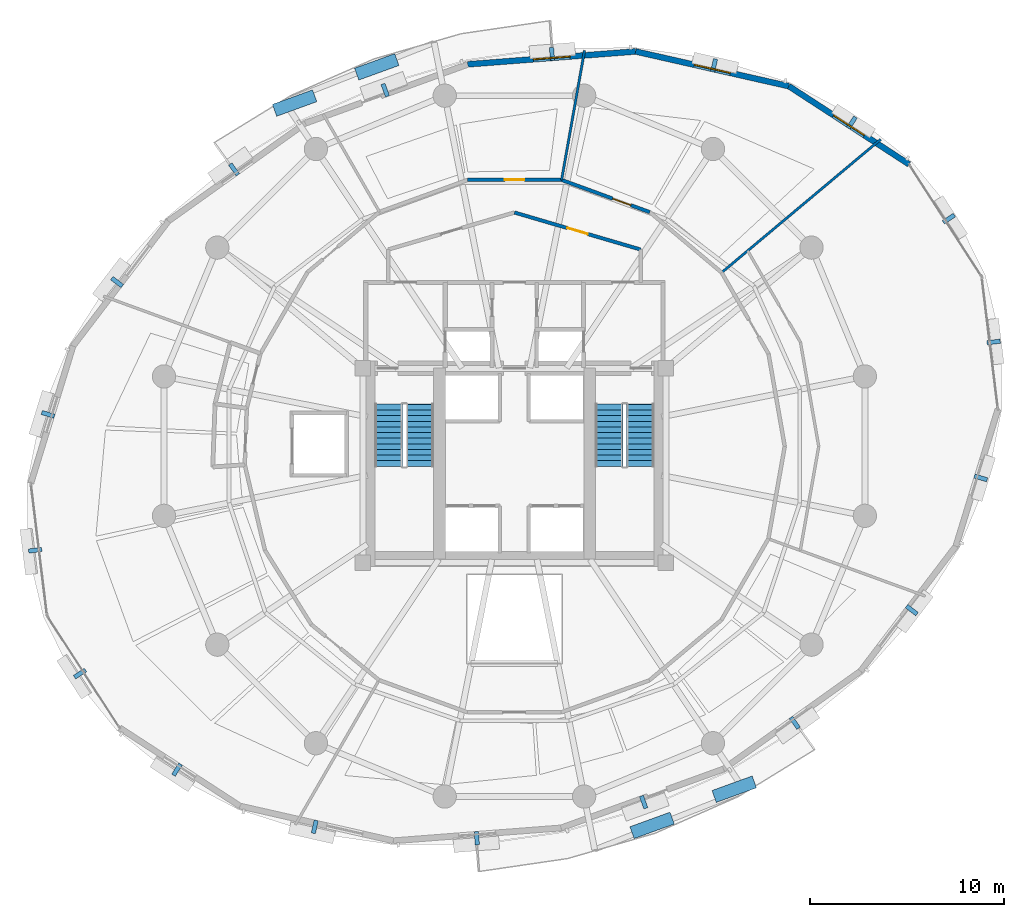
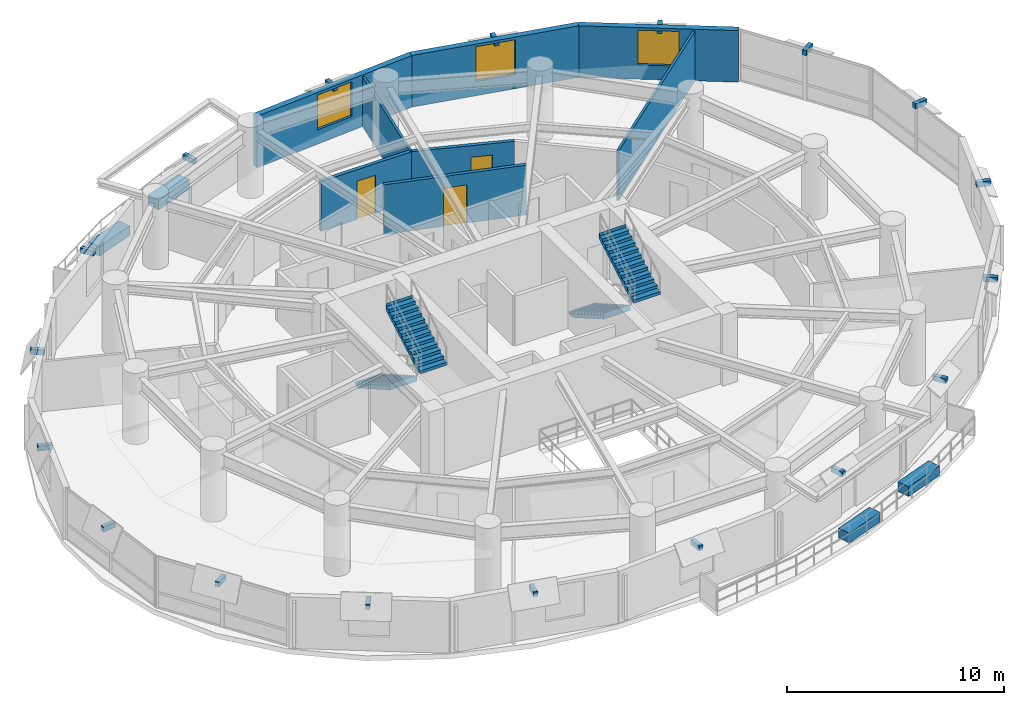
# One storey, part 12 of 15: 22 discrete accessories, 8 walls, 4 stair flights, 3 doors, 3 windows, 6 openings, 2 elements without a shape of their own.
"""IFC4 building model written with IfcOpenShell, lengths in metres."""

import ifcopenshell
import ifcopenshell.guid

model = None  # the IFC model being written
_history = None  # IfcOwnerHistory: only IFC2X3 demands one
_inside = {}  # id of a spatial element -> (the spatial element, [elements in it])
_under = {}  # id of a project, library or spatial element -> (it, [spatial elements below it])
_declared = {}  # id of a project -> (the project, [libraries it declares])
_typed = {}  # id of a type object -> (the type object, [elements of that type])
_made_of = {}  # id of a material, layer set ... -> (it, [elements and type objects made of it])


def new_model(schema):
    """Start an empty IFC model of exactly this schema.

    Asked for "IFC4X3", IfcOpenShell would pick the latest addendum, in which some entities
    have other attributes; the version numbers below select the first issue.
    IFC2X3 requires an IfcOwnerHistory on every rooted entity: one is made here for all.
    """
    global model, _history
    if schema == "IFC4X3":
        model = ifcopenshell.file(schema_version=(4, 3, 0, 0))
    else:
        model = ifcopenshell.file(schema=schema)
    _inside.clear()
    _under.clear()
    _declared.clear()
    _typed.clear()
    _made_of.clear()
    _history = None
    if model.schema == "IFC2X3":
        org = make("IfcOrganization", Name="unknown")
        user = make(
            "IfcPersonAndOrganization",
            ThePerson=make("IfcPerson", FamilyName="unknown"),
            TheOrganization=org,
        )
        app = make(
            "IfcApplication",
            ApplicationDeveloper=org,
            Version="unknown",
            ApplicationFullName="unknown",
            ApplicationIdentifier="unknown",
        )
        _history = make(
            "IfcOwnerHistory",
            OwningUser=user,
            OwningApplication=app,
            ChangeAction="ADDED",
            CreationDate=0,
        )
    return model


def make(cls, **values):
    """One entity of the class cls with the attributes given. An attribute that is None is left unset."""
    return model.create_entity(
        cls, **{name: value for name, value in values.items() if value is not None}
    )


def rooted(cls, **values):
    """An entity with a GlobalId (a new one), such as an element, a storey or a relation."""
    return make(cls, GlobalId=ifcopenshell.guid.new(), OwnerHistory=_history, **values)


def si_unit(unit_type, name, prefix=None):
    """IfcSIUnit, for example si_unit("LENGTHUNIT", "METRE", prefix="MILLI")."""
    return make("IfcSIUnit", UnitType=unit_type, Prefix=prefix, Name=name)


def assignment(units):
    """IfcUnitAssignment: the units of a project."""
    return None if units is None else make("IfcUnitAssignment", Units=units)


def point(xyz):
    """IfcCartesianPoint."""
    return None if xyz is None else make("IfcCartesianPoint", Coordinates=xyz)


def direction(xyz):
    """IfcDirection."""
    return None if xyz is None else make("IfcDirection", DirectionRatios=xyz)


def frame(location, z_axis=None, x_axis=None):
    """IfcAxis2Placement3D, a coordinate frame: its origin and axes. An axis left out is left unset."""
    return make(
        "IfcAxis2Placement3D",
        Location=point(location),
        Axis=direction(z_axis),
        RefDirection=direction(x_axis),
    )


def frame_2d(location, x_axis=None):
    """IfcAxis2Placement2D, a coordinate frame in the plane: its origin and x axis."""
    return make(
        "IfcAxis2Placement2D", Location=point(location), RefDirection=direction(x_axis)
    )


def origin():
    """The frame at (0, 0, 0) with its axes left unset."""
    return frame((0.0, 0.0, 0.0))


def origin_2d():
    """The frame at (0, 0) in the plane with its x axis left unset."""
    return frame_2d((0.0, 0.0))


def place(relative_to, where):
    """IfcLocalPlacement: puts the frame where relative to a parent placement (None: the world)."""
    return make(
        "IfcLocalPlacement", PlacementRelTo=relative_to, RelativePlacement=where
    )


def context(
    kind, dimensions, precision=None, world=None, true_north=None, identifier=None
):
    """IfcGeometricRepresentationContext, for example the 3D "Model" context."""
    return make(
        "IfcGeometricRepresentationContext",
        ContextIdentifier=identifier,
        ContextType=kind,
        CoordinateSpaceDimension=dimensions,
        Precision=precision,
        WorldCoordinateSystem=world,
        TrueNorth=true_north,
    )


def subcontext(parent, identifier, kind, view, scale=None):
    """IfcGeometricRepresentationSubContext, for example "Body" below "Model"."""
    return make(
        "IfcGeometricRepresentationSubContext",
        ContextIdentifier=identifier,
        ContextType=kind,
        ParentContext=parent,
        TargetScale=scale,
        TargetView=view,
    )


def project(units=None, contexts=None):
    """IfcProject with its units and contexts."""
    return rooted(
        "IfcProject",
        Name="project",
        RepresentationContexts=contexts,
        UnitsInContext=assignment(units),
    )


def spatial(cls, under=None, at=None, **own):
    """A site, building, storey or space (cls), placed at a placement, below another one or the project."""
    s = rooted(cls, ObjectPlacement=at, **own)
    if under is not None:
        _under.setdefault(under.id(), (under, []))[1].append(s)
    return s


def polyline(points):
    """IfcPolyline through the points."""
    return make("IfcPolyline", Points=[point(p) for p in points])


def profile(cls, at=None, kind="AREA", **sizes):
    """A parametric profile (cls). Its sizes go by their IFC names, for example OverallWidth=200.0."""
    return make(cls, ProfileType=kind, Position=at, **sizes)


def rectangle(**sizes):
    """IfcRectangleProfileDef."""
    return profile("IfcRectangleProfileDef", **sizes)


def outline(outer, holes=None, kind="AREA"):
    """IfcArbitraryClosedProfileDef: a profile drawn as a closed curve; with holes, ...WithVoids."""
    if holes is None:
        return make("IfcArbitraryClosedProfileDef", ProfileType=kind, OuterCurve=outer)
    return make(
        "IfcArbitraryProfileDefWithVoids",
        ProfileType=kind,
        OuterCurve=outer,
        InnerCurves=holes,
    )


def extrude(swept, where, along, depth):
    """IfcExtrudedAreaSolid: the profile swept, set in the frame where, extruded along a direction by depth."""
    return make(
        "IfcExtrudedAreaSolid",
        SweptArea=swept,
        Position=where,
        ExtrudedDirection=direction(along),
        Depth=depth,
    )


def shape(context_of_items, identifier, shape_type, items):
    """IfcShapeRepresentation: the items that make up one representation, for example the "Body"."""
    return make(
        "IfcShapeRepresentation",
        ContextOfItems=context_of_items,
        RepresentationIdentifier=identifier,
        RepresentationType=shape_type,
        Items=items,
    )


def material(Name=None, Category=None):
    """IfcMaterial."""
    return make("IfcMaterial", Name=Name, Category=Category)


def layer(
    of_material, thickness, ventilated=None, Name=None, Category=None, Priority=None
):
    """IfcMaterialLayer: one layer of a wall or slab, of a material (None: an air gap)."""
    return make(
        "IfcMaterialLayer",
        Material=of_material,
        LayerThickness=thickness,
        IsVentilated=ventilated,
        Name=Name,
        Category=Category,
        Priority=Priority,
    )


def layer_set(layers, Name=None):
    """IfcMaterialLayerSet."""
    return make("IfcMaterialLayerSet", MaterialLayers=layers, LayerSetName=Name)


def made_of(thing, what):
    """Note that an element or type object is made of a material, layer set ...; save() writes the relation."""
    if what is not None:
        _made_of.setdefault(what.id(), (what, []))[1].append(thing)
    return thing


def type_object(cls, material=None, **own):
    """A type object (cls), such as IfcWallType, which elements share."""
    return made_of(rooted(cls, **own), material)


def element(
    cls,
    number,
    at=None,
    inside=None,
    cuts=None,
    type_object=None,
    material=None,
    context=None,
    identifier="Body",
    shape_type=None,
    held_by="IfcProductDefinitionShape",
    body=None,
    shapes=None,
    **own,
):
    """One element of the class cls, such as IfcWall. Its Tag is "e" and its number.

    at: its placement. inside: the storey or other place that contains it. cuts: it is an
    opening in that element (IfcRelVoidsElement). A single representation is given by context,
    identifier, shape_type and body (its items); several are given by shapes. held_by: the class
    of the entity that holds the representations. save() writes the other relations.
    """
    e = rooted(cls, Tag="e%d" % number, ObjectPlacement=at, **own)
    if body is not None:
        shapes = [shape(context, identifier, shape_type, body)]
    if shapes is not None:
        e.Representation = make(held_by, Representations=shapes)
    if inside is not None:
        _inside.setdefault(inside.id(), (inside, []))[1].append(e)
    if cuts is not None:
        rooted(
            "IfcRelVoidsElement", RelatingBuildingElement=cuts, RelatedOpeningElement=e
        )
    if type_object is not None:
        _typed.setdefault(type_object.id(), (type_object, []))[1].append(e)
    return made_of(e, material)


def fill(opening, filler):
    """IfcRelFillsElement: the door or window that sits in an opening."""
    return rooted(
        "IfcRelFillsElement",
        RelatingOpeningElement=opening,
        RelatedBuildingElement=filler,
    )


def aggregate(whole, parts):
    """IfcRelAggregates: a whole, such as a stair, and the parts it consists of."""
    return rooted("IfcRelAggregates", RelatingObject=whole, RelatedObjects=parts)


def save(model, path):
    """Write the relations noted so far, then the file.

    IfcRelAggregates (storeys below a building ...), IfcRelContainedInSpatialStructure (elements
    in a storey), IfcRelDefinesByType, IfcRelAssociatesMaterial and IfcRelDeclares: one each for
    every whole, place, type object, material and project.
    """
    for whole, parts in _under.values():
        aggregate(whole, parts)
    for where, things in _inside.values():
        rooted(
            "IfcRelContainedInSpatialStructure",
            RelatedElements=things,
            RelatingStructure=where,
        )
    for kind, things in _typed.values():
        rooted("IfcRelDefinesByType", RelatedObjects=things, RelatingType=kind)
    for what, things in _made_of.values():
        rooted("IfcRelAssociatesMaterial", RelatedObjects=things, RelatingMaterial=what)
    for by, libraries in _declared.values():
        rooted("IfcRelDeclares", RelatingContext=by, RelatedDefinitions=libraries)
    model.write(path)


model = new_model("IFC4")

# Units and contexts
model_context = context("Model", 3, precision=1e-05, world=origin(), true_north=direction((0.0, 1.0)))
body_context = subcontext(model_context, "Body", "Model", "MODEL_VIEW")
ifc_project = project(units=[si_unit("LENGTHUNIT", "METRE"), si_unit("AREAUNIT", "SQUARE_METRE"), si_unit("VOLUMEUNIT", "CUBIC_METRE"), si_unit("PLANEANGLEUNIT", "RADIAN"), si_unit("MASSUNIT", "GRAM", prefix="KILO"), si_unit("THERMODYNAMICTEMPERATUREUNIT", "KELVIN"), si_unit("POWERUNIT", "WATT")], contexts=[model_context])

# Site, building, storey
site_placement = place(None, origin())
site = spatial("IfcSite", under=ifc_project, at=site_placement, CompositionType="ELEMENT")
building_placement = place(site_placement, origin())
building = spatial("IfcBuilding", under=site, at=building_placement, Name="Ocrelia Relay Tower", CompositionType="ELEMENT")
storey_placement = place(building_placement, frame((0.0, 0.0, 117.800048828125)))
storey = spatial("IfcBuildingStorey", under=building, at=storey_placement, Name="L27", CompositionType="ELEMENT", Elevation=117.800048828125)

# Wall, opening, door
ifc_material_1 = material(Name="Gypsum Fireboard Partition EI60", Category="gypsum")
ifc_layer_1 = layer(ifc_material_1, 0.179931640625, Name="Gypsum Fireboard Partition EI60")
ifc_layer_set_1 = layer_set([ifc_layer_1], Name="Gypsum Fireboard Partition EI60")
wall_type_1 = type_object("IfcWallType", Name="W-CORR-EI60-180", PredefinedType="PARTITIONING", material=ifc_layer_set_1)
wall_1_placement = place(storey_placement, frame((34.0, 38.030029296875, 0.0), z_axis=(0.0, 0.0, 1.0), x_axis=(0.959546654541, -0.281549671923, 0.0)))
wall_1 = element("IfcWall", 1, at=wall_1_placement, inside=storey, type_object=wall_type_1, Name="L27 North Smoke Lobby E Screen Wall", PredefinedType="PARTITIONING", context=body_context, shape_type="SweptSolid", body=[
    extrude(rectangle(XDim=6.77392578125, YDim=0.179931640625, at=frame_2d((3.386962890625, 0.0))), origin(), (0.0, 0.0, 1.0), 2.800048828125),
])
opening_1_placement = place(wall_1_placement, frame((2.8369140625, 0.0, 0.0)))
opening_1 = element("IfcOpeningElement", 2, at=opening_1_placement, cuts=wall_1, Name="Opening D-FD60", PredefinedType="OPENING", context=body_context, shape_type="SweptSolid", body=[
    extrude(rectangle(XDim=1.10009765625, YDim=2.14990234375, at=frame_2d((0.550048828125, 1.074951171875))), frame((0.0, 0.10009765625, 0.0), z_axis=(0.0, -1.0, 0.0), x_axis=(1.0, 0.0, 0.0)), (0.0, 0.0, 1.0), 0.199951171875),
])
ifc_material_2 = material(Name="Timber-core 60-min acoustic fire door", Category="wood")
door_type_1 = type_object("IfcDoorType", Name="DR-LOBBY-FD60-1100", OperationType="NOTDEFINED", PredefinedType="DOOR", material=ifc_material_2)
door_1_placement = place(opening_1_placement, origin())
door_1 = element("IfcDoor", 3, at=door_1_placement, inside=storey, type_object=door_type_1, Name="L27 North Smoke Lobby E Fire Door", OperationType="SINGLE_SWING_RIGHT", OverallHeight=2.14990234375, OverallWidth=1.10009765625, PredefinedType="DOOR", context=body_context, shape_type="SweptSolid", body=[
    extrude(rectangle(XDim=1.10009765625, YDim=2.14990234375, at=frame_2d((0.550048828125, 1.074951171875))), frame((0.0, 0.02490234375, 0.0), z_axis=(0.0, -1.0, 0.0), x_axis=(1.0, 0.0, 0.0)), (0.0, 0.0, 1.0), 0.050048828125),
])
fill(opening_1, door_1)

wall_2_placement = place(storey_placement, frame((40.970458984375, 38.049072265625, 0.0), z_axis=(0.0, 0.0, 1.0), x_axis=(-0.939403536329, 0.342813354368, 0.0)))
wall_2 = element("IfcWall", 4, at=wall_2_placement, inside=storey, type_object=wall_type_1, Name="L27 Technical Briefing Room Corridor Partition 2", PredefinedType="PARTITIONING", context=body_context, shape_type="SweptSolid", body=[
    extrude(rectangle(XDim=4.834228515625, YDim=0.179931640625, at=frame_2d((2.4169921875, 0.0))), origin(), (0.0, 0.0, 1.0), 2.800048828125),
])
opening_2_placement = place(wall_2_placement, frame((1.03369140625, 0.0, 0.0)))
opening_2 = element("IfcOpeningElement", 5, at=opening_2_placement, cuts=wall_2, Name="Opening D-RM100", PredefinedType="OPENING", context=body_context, shape_type="SweptSolid", body=[
    extrude(rectangle(XDim=1.0, YDim=2.14990234375, at=frame_2d((0.5, 1.074951171875))), frame((0.0, 0.10009765625, 0.0), z_axis=(0.0, -1.0, 0.0), x_axis=(1.0, 0.0, 0.0)), (0.0, 0.0, 1.0), 0.199951171875),
])
ifc_material_3 = material(Name="Acoustic oak veneer fire door", Category="wood")
door_type_2 = type_object("IfcDoorType", Name="DR-ROOM-FD60-1000", OperationType="NOTDEFINED", PredefinedType="DOOR", material=ifc_material_3)
door_2_placement = place(opening_2_placement, origin())
door_2 = element("IfcDoor", 6, at=door_2_placement, inside=storey, type_object=door_type_2, Name="L27 Technical Briefing Room Entrance Door", OperationType="SINGLE_SWING_LEFT", OverallHeight=2.14990234375, OverallWidth=1.0, PredefinedType="DOOR", context=body_context, shape_type="SweptSolid", body=[
    extrude(rectangle(XDim=1.0, YDim=2.14990234375, at=frame_2d((0.5, 1.074951171875))), frame((0.0, 0.02490234375, 0.0), z_axis=(0.0, -1.0, 0.0), x_axis=(1.0, 0.0, 0.0)), (0.0, 0.0, 1.0), 0.050048828125),
])
fill(opening_2, door_2)

wall_3_placement = place(storey_placement, frame((36.42919921875, 39.706298828125, 0.0), z_axis=(0.0, 0.0, 1.0), x_axis=(-0.999999586861, 0.000908998715, 0.0)))
wall_3 = element("IfcWall", 7, at=wall_3_placement, inside=storey, type_object=wall_type_1, Name="L27 Photonics Testing Studio Corridor Partition 1", PredefinedType="PARTITIONING", context=body_context, shape_type="SweptSolid", body=[
    extrude(rectangle(XDim=4.83447265625, YDim=0.179931640625, at=frame_2d((2.417236328125, 0.0))), origin(), (0.0, 0.0, 1.0), 2.800048828125),
])
opening_3_placement = place(wall_3_placement, frame((1.917236328125, 0.0, 0.0)))
opening_3 = element("IfcOpeningElement", 8, at=opening_3_placement, cuts=wall_3, Name="Opening D-RM100", PredefinedType="OPENING", context=body_context, shape_type="SweptSolid", body=[
    extrude(rectangle(XDim=1.0, YDim=2.14990234375, at=frame_2d((0.5, 1.074951171875))), frame((0.0, 0.10009765625, 0.0), z_axis=(0.0, -1.0, 0.0), x_axis=(1.0, 0.0, 0.0)), (0.0, 0.0, 1.0), 0.199951171875),
])
door_3_placement = place(opening_3_placement, origin())
door_3 = element("IfcDoor", 9, at=door_3_placement, inside=storey, type_object=door_type_2, Name="L27 Photonics Testing Studio Entrance Door", OperationType="SINGLE_SWING_RIGHT", OverallHeight=2.14990234375, OverallWidth=1.0, PredefinedType="DOOR", context=body_context, shape_type="SweptSolid", body=[
    extrude(rectangle(XDim=1.0, YDim=2.14990234375, at=frame_2d((0.5, 1.074951171875))), frame((0.0, 0.02490234375, 0.0), z_axis=(0.0, -1.0, 0.0), x_axis=(1.0, 0.0, 0.0)), (0.0, 0.0, 1.0), 0.050048828125),
])
fill(opening_3, door_3)

# Wall, opening, window
ifc_material_4 = material(Name="Precast concrete C40/50 with oxide terracotta", Category="masonry")
ifc_layer_2 = layer(ifc_material_4, 0.300048828125, Name="Precast concrete C40/50 with oxide terracotta")
ifc_layer_set_2 = layer_set([ifc_layer_2], Name="Precast concrete C40/50 with oxide terracotta")
wall_type_2 = type_object("IfcWallType", Name="W-EXT-TERR-300", PredefinedType="SOLIDWALL", material=ifc_layer_set_2)
wall_4_placement = place(storey_placement, frame((54.3251953125, 40.50927734375, 0.0), z_axis=(0.0, 0.0, 1.0), x_axis=(-0.838384683286, 0.545079006046, 0.0)))
wall_4 = element("IfcWall", 10, at=wall_4_placement, inside=storey, type_object=wall_type_2, Name="L27 Oxide Terracotta Facade Wall 02", PredefinedType="SOLIDWALL", context=body_context, shape_type="SweptSolid", body=[
    extrude(rectangle(XDim=7.383056640625, YDim=0.300048828125, at=frame_2d((3.69140625, 0.0))), origin(), (0.0, 0.0, 1.0), 2.89990234375),
])
opening_4_placement = place(wall_4_placement, frame((2.741943359375, 0.0, 0.800048828125)))
opening_4 = element("IfcOpeningElement", 11, at=opening_4_placement, cuts=wall_4, Name="Opening W-06", PredefinedType="OPENING", context=body_context, shape_type="SweptSolid", body=[
    extrude(rectangle(XDim=1.89990234375, YDim=1.949951171875, at=frame_2d((0.949951171875, 0.97509765625))), frame((0.0, 0.16015625, 0.0), z_axis=(0.0, -1.0, 0.0), x_axis=(1.0, 0.0, 0.0)), (0.0, 0.0, 1.0), 0.320068359375),
])
ifc_material_5 = material(Name="Clear double-glazed low-E glass", Category="glass")
window_type = type_object("IfcWindowType", Name="WIN-Z2-1900x2100", PartitioningType="DOUBLE_PANEL_VERTICAL", PredefinedType="WINDOW", material=ifc_material_5)
window_1_placement = place(opening_4_placement, origin())
window_1 = element("IfcWindow", 12, at=window_1_placement, inside=storey, type_object=window_type, Name="L27 Facade Module Window 02", OverallHeight=1.949951171875, OverallWidth=1.89990234375, PartitioningType="SINGLE_PANEL", PredefinedType="WINDOW", context=body_context, shape_type="SweptSolid", body=[
    extrude(rectangle(XDim=1.89990234375, YDim=1.949951171875, at=frame_2d((0.949951171875, 0.97509765625))), frame((0.0, 0.030029296875, 0.0), z_axis=(0.0, -1.0, 0.0), x_axis=(1.0, 0.0, 0.0)), (0.0, 0.0, 1.0), 0.06005859375),
])
fill(opening_4, window_1)

wall_5_placement = place(storey_placement, frame((48.13525390625, 44.53369140625, 0.0), z_axis=(0.0, 0.0, 1.0), x_axis=(-0.975266584043, 0.22103187564, 0.0)))
wall_5 = element("IfcWall", 13, at=wall_5_placement, inside=storey, type_object=wall_type_2, Name="L27 Oxide Terracotta Facade Wall 03", PredefinedType="SOLIDWALL", context=body_context, shape_type="SweptSolid", body=[
    extrude(rectangle(XDim=8.09521484375, YDim=0.300048828125, at=frame_2d((4.047607421875, 0.0))), origin(), (0.0, 0.0, 1.0), 2.89990234375),
])
opening_5_placement = place(wall_5_placement, frame((3.097900390625, 0.0, 0.800048828125)))
opening_5 = element("IfcOpeningElement", 14, at=opening_5_placement, cuts=wall_5, Name="Opening W-06", PredefinedType="OPENING", context=body_context, shape_type="SweptSolid", body=[
    extrude(rectangle(XDim=1.89990234375, YDim=1.949951171875, at=frame_2d((0.949951171875, 0.97509765625))), frame((0.0, 0.16015625, 0.0), z_axis=(0.0, -1.0, 0.0), x_axis=(1.0, 0.0, 0.0)), (0.0, 0.0, 1.0), 0.320068359375),
])
window_2_placement = place(opening_5_placement, origin())
window_2 = element("IfcWindow", 15, at=window_2_placement, inside=storey, type_object=window_type, Name="L27 Facade Module Window 03", OverallHeight=1.949951171875, OverallWidth=1.89990234375, PartitioningType="SINGLE_PANEL", PredefinedType="WINDOW", context=body_context, shape_type="SweptSolid", body=[
    extrude(rectangle(XDim=1.89990234375, YDim=1.949951171875, at=frame_2d((0.949951171875, 0.97509765625))), frame((0.0, 0.030029296875, 0.0), z_axis=(0.0, -1.0, 0.0), x_axis=(1.0, 0.0, 0.0)), (0.0, 0.0, 1.0), 0.06005859375),
])
fill(opening_5, window_2)

wall_6_placement = place(storey_placement, frame((40.240234375, 46.322998046875, 0.0), z_axis=(0.0, 0.0, 1.0), x_axis=(-0.997079436501, -0.076371443005, 0.0)))
wall_6 = element("IfcWall", 16, at=wall_6_placement, inside=storey, type_object=wall_type_2, Name="L27 Oxide Terracotta Facade Wall 04", PredefinedType="SOLIDWALL", context=body_context, shape_type="SweptSolid", body=[
    extrude(rectangle(XDim=8.6728515625, YDim=0.300048828125, at=frame_2d((4.33642578125, 0.0))), origin(), (0.0, 0.0, 1.0), 2.89990234375),
])
opening_6_placement = place(wall_6_placement, frame((3.385986328125, 0.0, 0.800048828125)))
opening_6 = element("IfcOpeningElement", 17, at=opening_6_placement, cuts=wall_6, Name="Opening W-06", PredefinedType="OPENING", context=body_context, shape_type="SweptSolid", body=[
    extrude(rectangle(XDim=1.89990234375, YDim=1.949951171875, at=frame_2d((0.949951171875, 0.97509765625))), frame((0.0, 0.16015625, 0.0), z_axis=(0.0, -1.0, 0.0), x_axis=(1.0, 0.0, 0.0)), (0.0, 0.0, 1.0), 0.320068359375),
])
window_3_placement = place(opening_6_placement, origin())
window_3 = element("IfcWindow", 18, at=window_3_placement, inside=storey, type_object=window_type, Name="L27 Facade Module Window 04", OverallHeight=1.949951171875, OverallWidth=1.89990234375, PartitioningType="SINGLE_PANEL", PredefinedType="WINDOW", context=body_context, shape_type="SweptSolid", body=[
    extrude(rectangle(XDim=1.89990234375, YDim=1.949951171875, at=frame_2d((0.949951171875, 0.97509765625))), frame((0.0, 0.030029296875, 0.0), z_axis=(0.0, -1.0, 0.0), x_axis=(1.0, 0.0, 0.0)), (0.0, 0.0, 1.0), 0.06005859375),
])
fill(opening_6, window_3)

# Walls
ifc_material_6 = material(Name="Acoustic Fireboard Partition EI60", Category="gypsum")
ifc_layer_3 = layer(ifc_material_6, 0.125, Name="Acoustic Fireboard Partition EI60")
ifc_layer_set_3 = layer_set([ifc_layer_3], Name="Acoustic Fireboard Partition EI60")
wall_type_3 = type_object("IfcWallType", Name="W-PART-125", PredefinedType="PARTITIONING", material=ifc_layer_set_3)
wall_7_placement = place(storey_placement, frame((44.671142578125, 34.938232421875, 0.0), z_axis=(0.0, 0.0, 1.0), x_axis=(0.766606207274, 0.642117530496, 0.0)))
element("IfcWall", 19, at=wall_7_placement, inside=storey, type_object=wall_type_3, Name="L27 Training Seminar Room Radial Partition", PredefinedType="PARTITIONING", context=body_context, shape_type="SweptSolid", body=[
    extrude(rectangle(XDim=10.684326171875, YDim=0.125, at=frame_2d((5.34228515625, 0.0))), origin(), (0.0, 0.0, 1.0), 2.800048828125),
])
wall_8_placement = place(storey_placement, frame((36.42919921875, 39.706298828125, 0.0), z_axis=(0.0, 0.0, 1.0), x_axis=(0.174498091195, 0.984657512117, 0.0)))
element("IfcWall", 20, at=wall_8_placement, inside=storey, type_object=wall_type_3, Name="L27 Technical Briefing Room Radial Partition", PredefinedType="PARTITIONING", context=body_context, shape_type="SweptSolid", body=[
    extrude(rectangle(XDim=6.780029296875, YDim=0.125, at=frame_2d((3.39013671875, 0.0))), origin(), (0.0, 0.0, 1.0), 2.800048828125),
])

# Stair, stair flights
ifc_material_7 = material(Name="Concrete C50/60", Category="concrete")
stair_type = type_object("IfcStairType", Name="ST-DL-1420-R167", PredefinedType="HALF_TURN_STAIR", material=ifc_material_7)
stair_1_placement = place(storey_placement, origin())
stair_1 = element("IfcStair", 21, at=stair_1_placement, inside=storey, type_object=stair_type, Name="L27 West Core Exit Stair ST1", PredefinedType="HALF_TURN_STAIR")
stair_flight_type = type_object("IfcStairFlightType", Name="STF-DL-1420-R167", PredefinedType="STRAIGHT", material=ifc_material_7)
stair_flight_1_placement = place(storey_placement, frame((27.52001953125, 28.14990234375, 0.0), z_axis=(0.0, 0.0, 1.0), x_axis=(0.0, -1.0, 0.0)))
stair_flight_1 = element("IfcStairFlight", 22, at=stair_flight_1_placement, type_object=stair_flight_type, Name="ST1 flight 1", NumberOfRisers=12, NumberOfTreads=11, PredefinedType="STRAIGHT", RiserHeight=0.166666667, TreadLength=0.29, context=body_context, shape_type="SweptSolid", body=[
    extrude(outline(polyline([(-0.008056640625, 0.0), (-0.008056640625, 0.166748046875), (0.0, 0.166748046875), (0.2900390625, 0.166748046875), (0.2900390625, 0.333251953125), (0.580078125, 0.333251953125), (0.580078125, 0.5), (0.8701171875, 0.5), (0.8701171875, 0.666748046875), (1.159912109375, 0.666748046875), (1.159912109375, 0.833251953125), (1.449951171875, 0.833251953125), (1.449951171875, 1.0), (1.739990234375, 1.0), (1.739990234375, 1.166748046875), (2.030029296875, 1.166748046875), (2.030029296875, 1.333251953125), (2.320068359375, 1.333251953125), (2.320068359375, 1.5), (2.610107421875, 1.5), (2.610107421875, 1.666748046875), (2.89990234375, 1.666748046875), (2.89990234375, 1.833251953125), (3.18994140625, 1.833251953125), (3.18994140625, 2.0), (3.197998046875, 2.0), (3.197998046875, 1.660400390625), (0.30078125, 0.0), (-0.008056640625, 0.0)])), frame((0.0, 0.7099609375, 0.0), z_axis=(0.0, -1.0, 0.0), x_axis=(1.0, 0.0, 0.0)), (0.0, 0.0, 1.0), 1.419921875),
])
stair_flight_2_placement = place(storey_placement, frame((29.139892578125, 24.9599609375, 2.0), z_axis=(0.0, 0.0, 1.0), x_axis=(0.0, 1.0, 0.0)))
stair_flight_2 = element("IfcStairFlight", 23, at=stair_flight_2_placement, type_object=stair_flight_type, Name="ST1 flight 2", NumberOfRisers=12, NumberOfTreads=11, PredefinedType="STRAIGHT", RiserHeight=0.166666667, TreadLength=0.29, context=body_context, shape_type="SweptSolid", body=[
    extrude(outline(polyline([(-0.008056640625, 0.0), (-0.008056640625, 0.166748046875), (0.0, 0.166748046875), (0.2900390625, 0.166748046875), (0.2900390625, 0.333251953125), (0.580078125, 0.333251953125), (0.580078125, 0.5), (0.8701171875, 0.5), (0.8701171875, 0.666748046875), (1.159912109375, 0.666748046875), (1.159912109375, 0.833251953125), (1.449951171875, 0.833251953125), (1.449951171875, 1.0), (1.739990234375, 1.0), (1.739990234375, 1.166748046875), (2.030029296875, 1.166748046875), (2.030029296875, 1.333251953125), (2.320068359375, 1.333251953125), (2.320068359375, 1.5), (2.610107421875, 1.5), (2.610107421875, 1.666748046875), (2.89990234375, 1.666748046875), (2.89990234375, 1.833251953125), (3.18994140625, 1.833251953125), (3.18994140625, 2.0), (3.197998046875, 2.0), (3.197998046875, 1.660400390625), (0.30078125, 0.0), (-0.008056640625, 0.0)])), frame((0.0, 0.7099609375, 0.0), z_axis=(0.0, -1.0, 0.0), x_axis=(1.0, 0.0, 0.0)), (0.0, 0.0, 1.0), 1.419921875),
])
aggregate(stair_1, [stair_flight_1, stair_flight_2])

stair_2_placement = place(storey_placement, origin())
stair_2 = element("IfcStair", 24, at=stair_2_placement, inside=storey, type_object=stair_type, Name="L27 East Core Exit Stair ST2", PredefinedType="HALF_TURN_STAIR")
stair_flight_3_placement = place(storey_placement, frame((38.8701171875, 28.14990234375, 0.0), z_axis=(0.0, 0.0, 1.0), x_axis=(0.0, -1.0, 0.0)))
stair_flight_3 = element("IfcStairFlight", 25, at=stair_flight_3_placement, type_object=stair_flight_type, Name="ST2 flight 1", NumberOfRisers=12, NumberOfTreads=11, PredefinedType="STRAIGHT", RiserHeight=0.166666667, TreadLength=0.29, context=body_context, shape_type="SweptSolid", body=[
    extrude(outline(polyline([(-0.008056640625, 0.0), (-0.008056640625, 0.166748046875), (0.0, 0.166748046875), (0.2900390625, 0.166748046875), (0.2900390625, 0.333251953125), (0.580078125, 0.333251953125), (0.580078125, 0.5), (0.8701171875, 0.5), (0.8701171875, 0.666748046875), (1.159912109375, 0.666748046875), (1.159912109375, 0.833251953125), (1.449951171875, 0.833251953125), (1.449951171875, 1.0), (1.739990234375, 1.0), (1.739990234375, 1.166748046875), (2.030029296875, 1.166748046875), (2.030029296875, 1.333251953125), (2.320068359375, 1.333251953125), (2.320068359375, 1.5), (2.610107421875, 1.5), (2.610107421875, 1.666748046875), (2.89990234375, 1.666748046875), (2.89990234375, 1.833251953125), (3.18994140625, 1.833251953125), (3.18994140625, 2.0), (3.197998046875, 2.0), (3.197998046875, 1.660400390625), (0.30078125, 0.0), (-0.008056640625, 0.0)])), frame((0.0, 0.7099609375, 0.0), z_axis=(0.0, -1.0, 0.0), x_axis=(1.0, 0.0, 0.0)), (0.0, 0.0, 1.0), 1.419921875),
])
stair_flight_4_placement = place(storey_placement, frame((40.489990234375, 24.9599609375, 2.0), z_axis=(0.0, 0.0, 1.0), x_axis=(0.0, 1.0, 0.0)))
stair_flight_4 = element("IfcStairFlight", 26, at=stair_flight_4_placement, type_object=stair_flight_type, Name="ST2 flight 2", NumberOfRisers=12, NumberOfTreads=11, PredefinedType="STRAIGHT", RiserHeight=0.166666667, TreadLength=0.29, context=body_context, shape_type="SweptSolid", body=[
    extrude(outline(polyline([(-0.008056640625, 0.0), (-0.008056640625, 0.166748046875), (0.0, 0.166748046875), (0.2900390625, 0.166748046875), (0.2900390625, 0.333251953125), (0.580078125, 0.333251953125), (0.580078125, 0.5), (0.8701171875, 0.5), (0.8701171875, 0.666748046875), (1.159912109375, 0.666748046875), (1.159912109375, 0.833251953125), (1.449951171875, 0.833251953125), (1.449951171875, 1.0), (1.739990234375, 1.0), (1.739990234375, 1.166748046875), (2.030029296875, 1.166748046875), (2.030029296875, 1.333251953125), (2.320068359375, 1.333251953125), (2.320068359375, 1.5), (2.610107421875, 1.5), (2.610107421875, 1.666748046875), (2.89990234375, 1.666748046875), (2.89990234375, 1.833251953125), (3.18994140625, 1.833251953125), (3.18994140625, 2.0), (3.197998046875, 2.0), (3.197998046875, 1.660400390625), (0.30078125, 0.0), (-0.008056640625, 0.0)])), frame((0.0, 0.7099609375, 0.0), z_axis=(0.0, -1.0, 0.0), x_axis=(1.0, 0.0, 0.0)), (0.0, 0.0, 1.0), 1.419921875),
])
aggregate(stair_2, [stair_flight_3, stair_flight_4])

# Discrete accessories
ifc_material_8 = material(Name="Precast concrete C40/50 planter with highland greenery", Category="concrete")
discrete_accessory_type_1 = type_object("IfcDiscreteAccessoryType", Name="ACC-BALC-PLANTER", PredefinedType="USERDEFINED", material=ifc_material_8)
for number, where, z_axis, x_axis, name in (
    (27, (26.91064453125, 45.530517578125, 0.0), (0.0, 0.0, 1.0), (0.939990452134, 0.34120074721, 0.0), "L27 Balcony Terracotta Planter with Greenery B1"),
    (28, (22.681396484375, 43.666015625, 0.0), (0.0, 0.0, 1.0), (0.939990452134, 0.34120074721, 0.0), "L27 Balcony Terracotta Planter B1-2"),
    (29, (41.08935546875, 6.469482421875, 0.0), (0.0, 0.0, 1.0), (-0.939990452134, -0.34120074721, 0.0), "L27 Balcony Terracotta Planter with Greenery B2"),
    (30, (45.318603515625, 8.333984375, 0.0), (0.0, 0.0, 1.0), (-0.939990452134, -0.34120074721, 0.0), "L27 Balcony Terracotta Planter B2-2"),
):
    element("IfcDiscreteAccessory", number, at=place(storey_placement, frame(where, z_axis=z_axis, x_axis=x_axis)), inside=storey, type_object=discrete_accessory_type_1, Name=name, ObjectType="PLANTER", PredefinedType="USERDEFINED", context=body_context, shape_type="SweptSolid", body=[
        extrude(rectangle(XDim=2.199951171875, YDim=0.64990234375, at=origin_2d()), origin(), (0.0, 0.0, 1.0), 0.550048828125),
    ])
ifc_material_9 = material(Name="Steel S355", Category="steel")
discrete_accessory_type_2 = type_object("IfcDiscreteAccessoryType", Name="ACC-VISOR-BRACKET", PredefinedType="BRACKET", material=ifc_material_9)
for number, where, z_axis, x_axis, name in (
    (31, (56.37158203125, 37.71484375, 2.60009765625), (0.0, 0.0, 1.0), (-0.543455591745, 0.839437918968, 0.0), "L27 Visor Mounting Bracket 01"),
    (32, (51.374755859375, 42.659912109375, 2.60009765625), (0.0, 0.0, 1.0), (-0.83838172207, 0.545083560657, 0.0), "L27 Visor Mounting Bracket 02"),
    (33, (44.28076171875, 45.60546875, 2.60009765625), (0.0, 0.0, 1.0), (-0.975271968475, 0.221008116382, 0.0), "L27 Visor Mounting Bracket 03"),
    (34, (35.935546875, 46.19091796875, 2.60009765625), (0.0, 0.0, 1.0), (-0.997080877714, -0.076352624688, 0.0), "L27 Visor Mounting Bracket 04"),
    (35, (27.345947265625, 44.331787109375, 2.60009765625), (0.0, 0.0, 1.0), (-0.939991290594, -0.341198437287, 0.0), "L27 Visor Mounting Bracket 05"),
    (36, (19.563720703125, 40.248046875, 2.60009765625), (0.0, 0.0, 1.0), (-0.813895483683, -0.581011309391, 0.0), "L27 Visor Mounting Bracket 06"),
    (37, (13.537109375, 34.446044921875, 2.60009765625), (0.0, 0.0, 1.0), (-0.606437659627, -0.795131036362, 0.0), "L27 Visor Mounting Bracket 07"),
    (38, (9.984375, 27.635986328125, 2.60009765625), (0.0, 0.0, 1.0), (-0.293529974291, -0.955949870125, 0.0), "L27 Visor Mounting Bracket 08"),
    (39, (9.32275390625, 20.636962890625, 2.60009765625), (0.0, 0.0, 1.0), (0.121527745226, -0.992588034957, 0.0), "L27 Visor Mounting Bracket 09"),
    (40, (11.62841796875, 14.28515625, 2.60009765625), (0.0, 0.0, 1.0), (0.543455591745, -0.839437918968, 0.0), "L27 Visor Mounting Bracket 10"),
    (41, (16.625244140625, 9.340087890625, 2.60009765625), (0.0, 0.0, 1.0), (0.83838172207, -0.545083560657, 0.0), "L27 Visor Mounting Bracket 11"),
    (42, (23.71923828125, 6.39453125, 2.60009765625), (0.0, 0.0, 1.0), (0.975271968475, -0.221008116382, 0.0), "L27 Visor Mounting Bracket 12"),
    (43, (32.064453125, 5.80908203125, 2.60009765625), (0.0, 0.0, 1.0), (0.997080877714, 0.076352624688, 0.0), "L27 Visor Mounting Bracket 13"),
    (44, (40.654052734375, 7.668212890625, 2.60009765625), (0.0, 0.0, 1.0), (0.939991290594, 0.341198437287, 0.0), "L27 Visor Mounting Bracket 14"),
    (45, (48.436279296875, 11.751953125, 2.60009765625), (0.0, 0.0, 1.0), (0.813895483683, 0.581011309391, 0.0), "L27 Visor Mounting Bracket 15"),
    (46, (54.462890625, 17.553955078125, 2.60009765625), (0.0, 0.0, 1.0), (0.606437659627, 0.795131036362, 0.0), "L27 Visor Mounting Bracket 16"),
    (47, (58.015625, 24.364013671875, 2.60009765625), (0.0, 0.0, 1.0), (0.293529974291, 0.955949870125, 0.0), "L27 Visor Mounting Bracket 17"),
    (48, (58.67724609375, 31.363037109375, 2.60009765625), (0.0, 0.0, 1.0), (-0.121527745226, 0.992588034957, 0.0), "L27 Visor Mounting Bracket 18"),
):
    element("IfcDiscreteAccessory", number, at=place(storey_placement, frame(where, z_axis=z_axis, x_axis=x_axis)), inside=storey, type_object=discrete_accessory_type_2, Name=name, PredefinedType="BRACKET", context=body_context, shape_type="SweptSolid", body=[
        extrude(rectangle(XDim=0.219970703125, YDim=0.679931640625, at=origin_2d()), origin(), (0.0, 0.0, 1.0), 0.280029296875),
    ])

save(model, "model.ifc")
